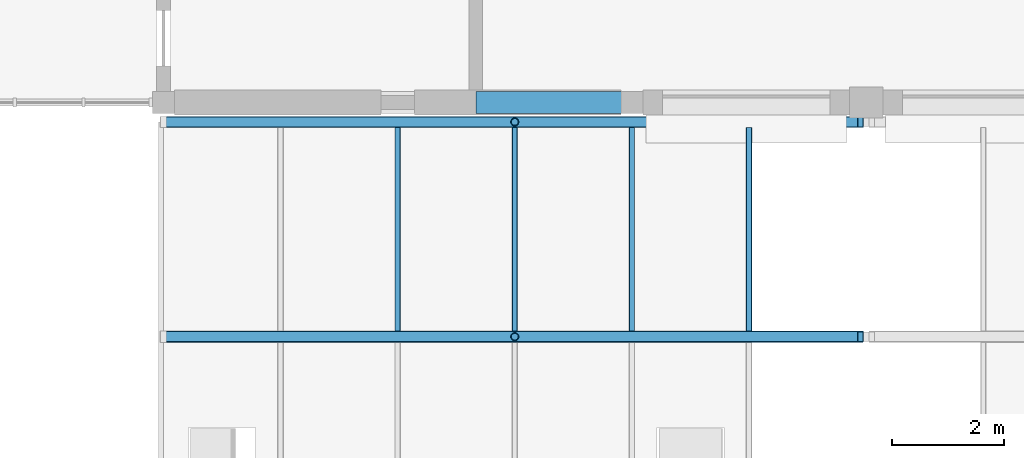
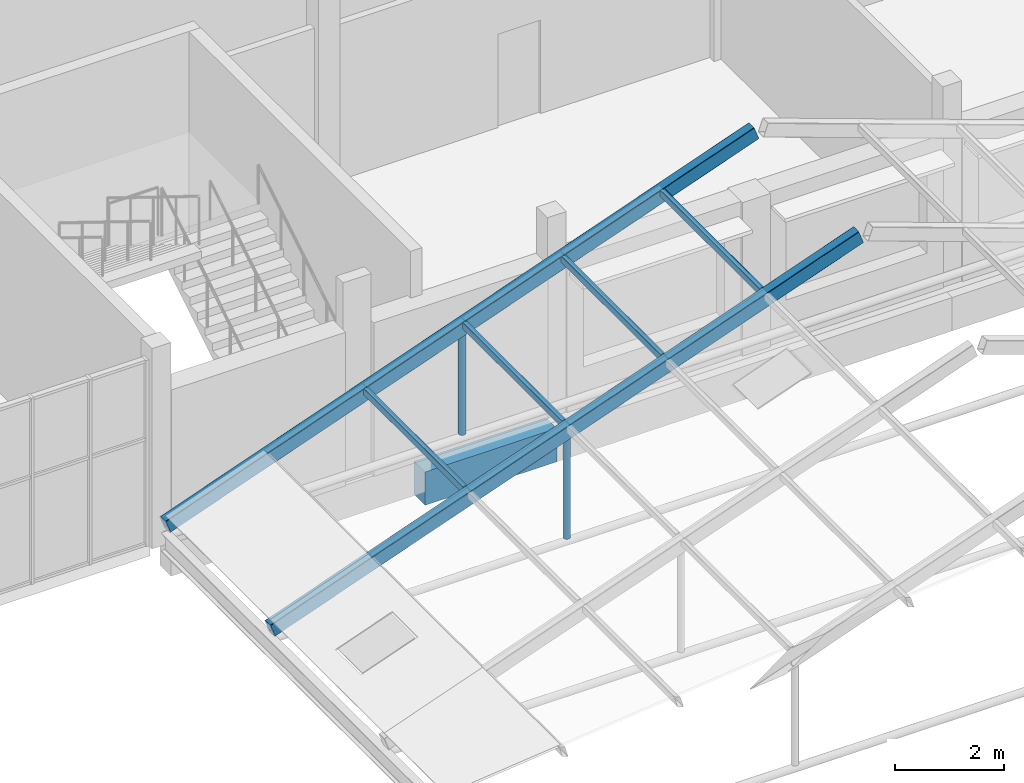
# One storey, part 70 of 116: 8 members, 1 beam.
"""IFC4 building model written with IfcOpenShell, lengths in metres."""

from ifc_helpers import new_model, si_unit, direction, frame, origin, origin_2d, place, context, subcontext, project, spatial, rectangle, hollow_rectangle, hollow_circle, extrude, material, material_profile, profile_set, type_object, element, save


model = new_model("IFC4")

# Units and contexts
model_context = context("Model", 3, precision=1e-05, world=origin(), true_north=direction((0.0, 1.0)))
body_context = subcontext(model_context, "Body", "Model", "MODEL_VIEW")
ifc_project = project(units=[si_unit("LENGTHUNIT", "METRE"), si_unit("AREAUNIT", "SQUARE_METRE"), si_unit("VOLUMEUNIT", "CUBIC_METRE"), si_unit("PLANEANGLEUNIT", "RADIAN"), si_unit("MASSUNIT", "GRAM", prefix="KILO")], contexts=[model_context])

# Site, building, storey
site_placement = place(None, origin())
site = spatial("IfcSite", under=ifc_project, at=site_placement, CompositionType="ELEMENT")
building_placement = place(site_placement, origin())
building = spatial("IfcBuilding", under=site, at=building_placement, Name="Fescue Hill Polytechnic", CompositionType="ELEMENT")
storey_placement = place(building_placement, frame((0.0, 0.0, 13.5)))
storey = spatial("IfcBuildingStorey", under=building, at=storey_placement, Name="L03", CompositionType="ELEMENT", Elevation=13.5)

# Beam
ifc_material_1 = material(Name="Concrete 35 MPa", Category="concrete")
ifc_material_profile_1 = material_profile(ifc_material_1, rectangle(XDim=0.39990234375, YDim=0.75, at=origin_2d()), Name="RC 400x750")
ifc_profile_set_1 = profile_set([ifc_material_profile_1], Name="Concrete 35 MPa")
beam_type = type_object("IfcBeamType", Name="Beam RC 400x750", PredefinedType="BEAM", material=ifc_profile_set_1)
beam_placement = place(storey_placement, frame((98.0, 109.199951171875, -0.675048828125), z_axis=(1.0, 0.0, 0.0), x_axis=(0.0, 1.0, 0.0)))
element("IfcBeam", 1, at=beam_placement, inside=storey, type_object=beam_type, Name="BM-L03-0107", PredefinedType="BEAM", context=body_context, shape_type="SweptSolid", body=[
    extrude(rectangle(XDim=0.39990234375, YDim=0.75, at=origin_2d()), origin(), (0.0, 0.0, 1.0), 2.800048828125),
])

# Members
ifc_material_2 = material(Name="Steel 350W (350 MPa)", Category="steel")
ifc_material_profile_2 = material_profile(ifc_material_2, hollow_rectangle(XDim=0.1015625, YDim=0.15234375, WallThickness=0.00634765625, InnerFilletRadius=0.00634765625, OuterFilletRadius=0.0126953125, at=origin_2d()), Name="Winter garden glazing purlin HSS 152x102x6.4")
ifc_profile_set_2 = profile_set([ifc_material_profile_2], Name="Steel 350W (350 MPa)")
member_type_1 = type_object("IfcMemberType", Name="Winter garden glazing purlin HSS 152x102x6.4", PredefinedType="PURLIN", material=ifc_profile_set_2)
for number, where, z_axis, x_axis, name in (
    (2, (96.599853515625, 105.1015625, 2.164306640625), (0.0, 1.0, 0.0), (-1.0, 0.0, 0.0), "Winter garden glazing purlin W2 bay 14"),
    (3, (98.69970703125, 105.1015625, 2.914306640625), (0.0, 1.0, 0.0), (-1.0, 0.0, 0.0), "Winter garden glazing purlin W3 bay 14"),
    (4, (100.799560546875, 105.1015625, 3.664306640625), (0.0, 1.0, 0.0), (-1.0, 0.0, 0.0), "Winter garden glazing purlin W4 bay 14"),
    (5, (102.899658203125, 105.1015625, 4.414306640625), (0.0, 1.0, 0.0), (-1.0, 0.0, 0.0), "Winter garden glazing purlin W5 bay 14"),
):
    element("IfcMember", number, at=place(storey_placement, frame(where, z_axis=z_axis, x_axis=x_axis)), inside=storey, type_object=member_type_1, Name=name, PredefinedType="PURLIN", context=body_context, shape_type="SweptSolid", body=[
        extrude(hollow_rectangle(XDim=0.1015625, YDim=0.15234375, WallThickness=0.00634765625, InnerFilletRadius=0.00634765625, OuterFilletRadius=0.0126953125, at=origin_2d()), origin(), (0.0, 0.0, 1.0), 3.646728515625),
    ])
ifc_material_profile_3 = material_profile(ifc_material_2, hollow_circle(Radius=0.070556640625, WallThickness=0.00634765625, at=origin_2d()), Name="Winter garden queen post CHS 141x6.4")
ifc_profile_set_3 = profile_set([ifc_material_profile_3], Name="Steel 350W (350 MPa)")
member_type_2 = type_object("IfcMemberType", Name="Winter garden queen post CHS 141x6.4", PredefinedType="POST", material=ifc_profile_set_3)
for number, where, z_axis, x_axis, name in (
    (6, (98.699951171875, 105.0, 0.4169921875), (0.0, 0.0, 1.0), (1.0, 0.0, 0.0), "Winter garden queen post 14A"),
    (7, (98.699951171875, 108.85009765625, 0.4169921875), (0.0, 0.0, 1.0), (1.0, 0.0, 0.0), "Winter garden queen post 15A"),
):
    element("IfcMember", number, at=place(storey_placement, frame(where, z_axis=z_axis, x_axis=x_axis)), inside=storey, type_object=member_type_2, Name=name, PredefinedType="POST", context=body_context, shape_type="SweptSolid", body=[
        extrude(hollow_circle(Radius=0.070556640625, WallThickness=0.00634765625, at=origin_2d()), origin(), (0.0, 0.0, 1.0), 2.25),
    ])
ifc_material_profile_4 = material_profile(ifc_material_2, hollow_rectangle(XDim=0.203125, YDim=0.3046875, WallThickness=0.009521484375, InnerFilletRadius=0.009521484375, OuterFilletRadius=0.01904296875, at=origin_2d()), Name="Winter garden rafter HSS 305x203x9.5")
ifc_profile_set_4 = profile_set([ifc_material_profile_4], Name="Steel 350W (350 MPa)")
member_type_3 = type_object("IfcMemberType", Name="Winter garden rafter HSS 305x203x9.5", PredefinedType="RAFTER", material=ifc_profile_set_4)
for number, where, z_axis, x_axis, name in (
    (8, (92.39990234375, 105.0, 0.578857421875), (0.941740247025, 0.0, 0.336341057756), (0.0, 1.0, 0.0), "Winter garden rafter W14"),
    (9, (92.39990234375, 108.85009765625, 0.578857421875), (0.941740247025, 0.0, 0.336341057756), (0.0, 1.0, 0.0), "Winter garden rafter W15"),
):
    element("IfcMember", number, at=place(storey_placement, frame(where, z_axis=z_axis, x_axis=x_axis)), inside=storey, type_object=member_type_3, Name=name, PredefinedType="RAFTER", context=body_context, shape_type="SweptSolid", body=[
        extrude(hollow_rectangle(XDim=0.203125, YDim=0.3046875, WallThickness=0.009521484375, InnerFilletRadius=0.009521484375, OuterFilletRadius=0.01904296875, at=origin_2d()), origin(), (0.0, 0.0, 1.0), 13.273193359375),
    ])

save(model, "model.ifc")
